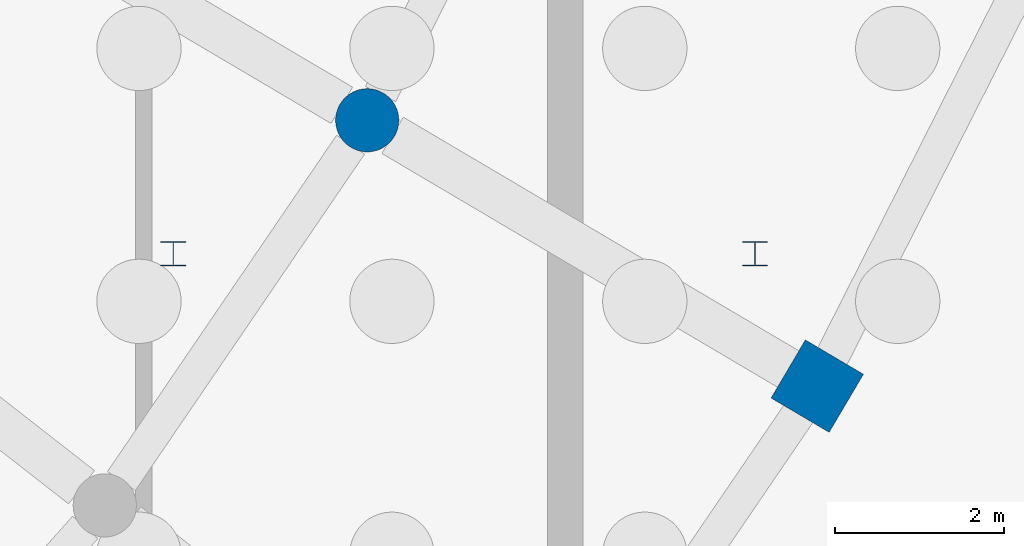
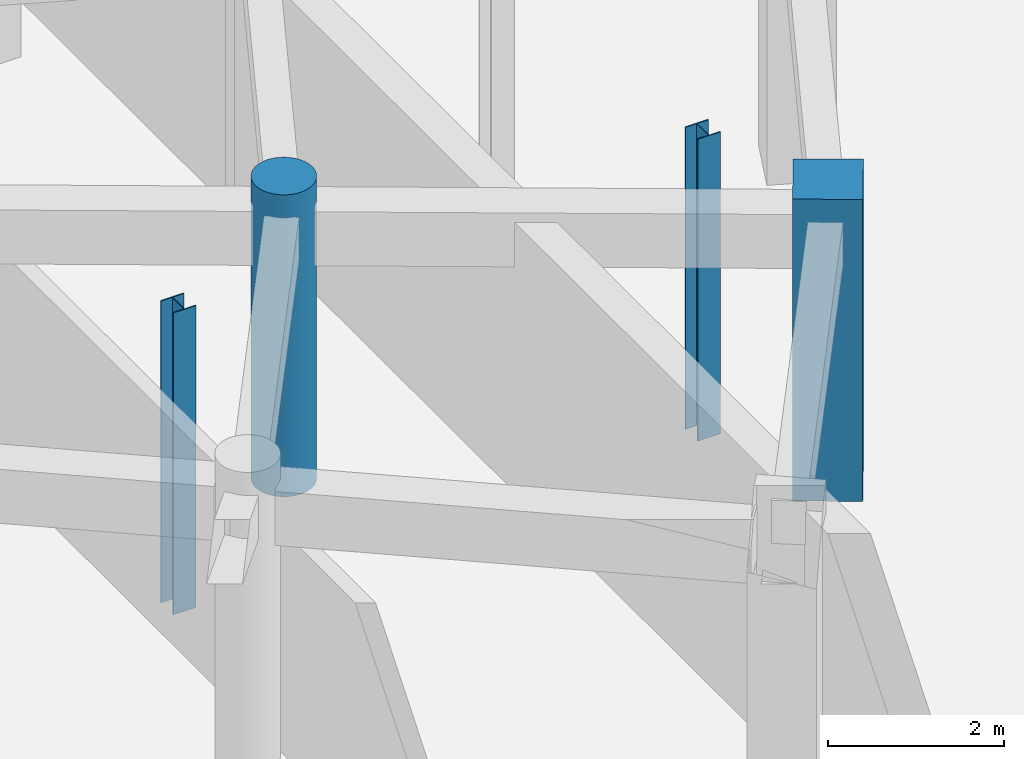
# One storey, part 8 of 33: 4 columns.
"""IFC4 building model written with IfcOpenShell, lengths in metres."""

from ifc_helpers import new_model, si_unit, direction, frame, origin, origin_2d, place, context, subcontext, project, spatial, rectangle, circle, i_section, extrude, material, material_profile, profile_set, type_object, element, save


model = new_model("IFC4")

# Units and contexts
model_context = context("Model", 3, precision=1e-05, world=origin(), true_north=direction((0.0, 1.0)))
body_context = subcontext(model_context, "Body", "Model", "MODEL_VIEW")
ifc_project = project(units=[si_unit("LENGTHUNIT", "METRE"), si_unit("AREAUNIT", "SQUARE_METRE"), si_unit("VOLUMEUNIT", "CUBIC_METRE"), si_unit("PLANEANGLEUNIT", "RADIAN"), si_unit("MASSUNIT", "GRAM", prefix="KILO")], contexts=[model_context])

# Site, building, storey
site_placement = place(None, origin())
site = spatial("IfcSite", under=ifc_project, at=site_placement, CompositionType="ELEMENT")
building_placement = place(site_placement, origin())
building = spatial("IfcBuilding", under=site, at=building_placement, Name="Saryqyr Civic Hall", CompositionType="ELEMENT")
storey_placement = place(building_placement, frame((0.0, 0.0, -4.199951171875)))
storey = spatial("IfcBuildingStorey", under=building, at=storey_placement, Name="B1", CompositionType="ELEMENT", Elevation=-4.199951171875)

# Columns
ifc_material_1 = material(Name="Steel S355", Category="steel")
ifc_material_profile_1 = material_profile(ifc_material_1, i_section(OverallWidth=0.300048828125, OverallDepth=0.2900390625, WebThickness=0.008544921875, FlangeThickness=0.013916015625, at=origin_2d()), Name="HEA 300")
ifc_profile_set_1 = profile_set([ifc_material_profile_1], Name="Steel S355")
column_type_1 = type_object("IfcColumnType", Name="STR-COL-HEA300-S355", PredefinedType="COLUMN", material=ifc_profile_set_1)
for number, where, z_axis, x_axis, name in (
    (1, (91.550048828125, 60.64990234375, 0.0), (0.0, 0.0, 1.0), (1.0, 0.0, 0.0), "Column RGV5-COL-1-B1"),
    (2, (98.449951171875, 60.64990234375, 0.0), (0.0, 0.0, 1.0), (1.0, 0.0, 0.0), "Column RGV5-COL-2-B1"),
):
    element("IfcColumn", number, at=place(storey_placement, frame(where, z_axis=z_axis, x_axis=x_axis)), inside=storey, type_object=column_type_1, Name=name, PredefinedType="COLUMN", context=body_context, shape_type="SweptSolid", body=[
        extrude(i_section(OverallWidth=0.300048828125, OverallDepth=0.2900390625, WebThickness=0.008544921875, FlangeThickness=0.013916015625, at=origin_2d()), origin(), (0.0, 0.0, 1.0), 4.199951171875),
    ])
ifc_material_2 = material(Name="Concrete C40/50", Category="concrete")
ifc_material_profile_2 = material_profile(ifc_material_2, rectangle(XDim=0.800048828125, YDim=0.800048828125, at=origin_2d()), Name="RC 800x800")
ifc_profile_set_2 = profile_set([ifc_material_profile_2], Name="Concrete C40/50")
column_type_2 = type_object("IfcColumnType", Name="STR-COL-RC800-C40", PredefinedType="COLUMN", material=ifc_profile_set_2)
column_1_placement = place(storey_placement, frame((99.189453125, 59.0791015625, 0.0), z_axis=(0.0, 0.0, 1.0), x_axis=(0.861008442465, -0.508590662521, 0.0)))
element("IfcColumn", 3, at=column_1_placement, inside=storey, type_object=column_type_2, Name="Column V5-COL-OUT06-B1", PredefinedType="COLUMN", context=body_context, shape_type="SweptSolid", body=[
    extrude(rectangle(XDim=0.800048828125, YDim=0.800048828125, at=origin_2d()), origin(), (0.0, 0.0, 1.0), 4.199951171875),
])
ifc_material_profile_3 = material_profile(ifc_material_2, circle(Radius=0.375, at=origin_2d()), Name="RC D750")
ifc_profile_set_3 = profile_set([ifc_material_profile_3], Name="Concrete C40/50")
column_type_3 = type_object("IfcColumnType", Name="STR-COL-RCD750-INT", PredefinedType="COLUMN", material=ifc_profile_set_3)
column_2_placement = place(storey_placement, frame((93.851318359375, 62.232421875, 0.0), z_axis=(0.0, 0.0, 1.0), x_axis=(0.861008442465, -0.508590662521, 0.0)))
element("IfcColumn", 4, at=column_2_placement, inside=storey, type_object=column_type_3, Name="Column V5-COL-MID06-B1", PredefinedType="COLUMN", context=body_context, shape_type="SweptSolid", body=[
    extrude(circle(Radius=0.375, at=origin_2d()), origin(), (0.0, 0.0, 1.0), 4.199951171875),
])

save(model, "model.ifc")
